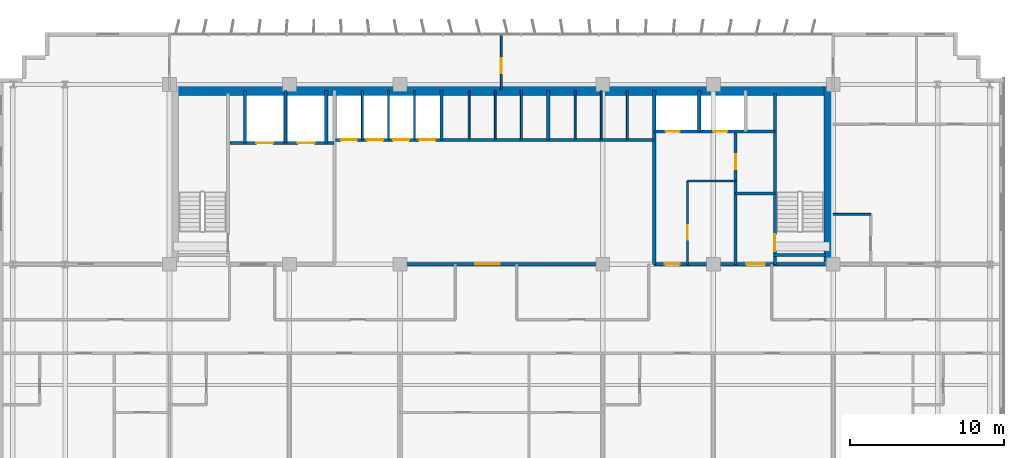
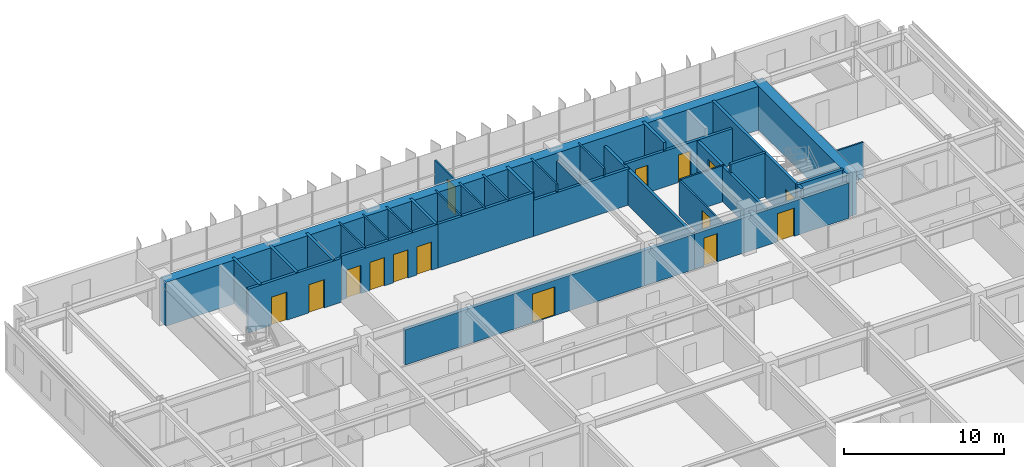
# One storey, part 18 of 22: 33 walls, 15 doors, 15 openings.
"""IFC4 building model written with IfcOpenShell, lengths in metres."""

from ifc_helpers import new_model, si_unit, direction, frame, frame_2d, origin, place, context, subcontext, project, spatial, rectangle, extrude, source, transform, mapped, material, layer, layer_set, type_object, element, fill, save


model = new_model("IFC4")

# Units and contexts
model_context = context("Model", 3, precision=1e-05, world=origin(), true_north=direction((0.0, 1.0)))
body_context = subcontext(model_context, "Body", "Model", "MODEL_VIEW")
ifc_project = project(units=[si_unit("LENGTHUNIT", "METRE"), si_unit("AREAUNIT", "SQUARE_METRE"), si_unit("VOLUMEUNIT", "CUBIC_METRE"), si_unit("PLANEANGLEUNIT", "RADIAN"), si_unit("MASSUNIT", "GRAM", prefix="KILO")], contexts=[model_context])

# Site, building, storey
site_placement = place(None, origin())
site = spatial("IfcSite", under=ifc_project, at=site_placement, CompositionType="ELEMENT")
building_placement = place(site_placement, origin())
building = spatial("IfcBuilding", under=site, at=building_placement, Name="Trelvane Seafront Commons", CompositionType="ELEMENT")
storey_placement = place(building_placement, frame((0.0, 0.0, 52.300048828125)))
storey = spatial("IfcBuildingStorey", under=building, at=storey_placement, Name="L13", CompositionType="ELEMENT", Elevation=52.300048828125)

# Wall, opening, door
ifc_material_1 = material(Name="Concrete C40/50", Category="concrete")
ifc_layer_1 = layer(ifc_material_1, 0.199951171875, Name="ARCH-WALL-FIRE200")
ifc_layer_set_1 = layer_set([ifc_layer_1], Name="Concrete C40/50")
wall_type_1 = type_object("IfcWallType", Name="ARCH-WALL-FIRE200", PredefinedType="PARTITIONING", material=ifc_layer_set_1)
wall_1_placement = place(storey_placement, frame((52.449951171875, 33.39990234375, 0.0), z_axis=(0.0, 0.0, 1.0), x_axis=(0.0, 1.0, 0.0)))
wall_1 = element("IfcWall", 1, at=wall_1_placement, inside=storey, type_object=wall_type_1, Name="W-L13-ST2V-W-033", PredefinedType="PARTITIONING", context=body_context, shape_type="SweptSolid", body=[
    extrude(rectangle(XDim=8.650146484375, YDim=0.199951171875, at=frame_2d((4.3251953125, 0.0))), origin(), (0.0, 0.0, 1.0), 2.68994140625),
])
opening_1_placement = place(wall_1_placement, frame((6.199951171875, 0.0, 0.0)))
opening_1 = element("IfcOpeningElement", 2, at=opening_1_placement, cuts=wall_1, Name="Opening FD-L13-13", PredefinedType="OPENING", context=body_context, shape_type="SweptSolid", body=[
    extrude(rectangle(XDim=0.949951171875, YDim=2.14990234375, at=frame_2d((0.47509765625, 1.074951171875))), frame((0.0, 0.10986328125, 0.0), z_axis=(0.0, -1.0, 0.0), x_axis=(1.0, 0.0, 0.0)), (0.0, 0.0, 1.0), 0.219970703125),
])
ifc_material_2 = material(Name="Powder-coated aluminium frame", Category="aluminium")
door_type_1 = type_object("IfcDoorType", Name="ARCH-DR-FD60-950", OperationType="NOTDEFINED", PredefinedType="DOOR", material=ifc_material_2)
shared_shape_1 = source(origin(), body_context, "Body", "SweptSolid", [
    extrude(rectangle(XDim=0.949951171875, YDim=2.14990234375, at=frame_2d((0.47509765625, 1.074951171875))), frame((0.0, 0.02490234375, 0.0), z_axis=(0.0, -1.0, 0.0), x_axis=(1.0, 0.0, 0.0)), (0.0, 0.0, 1.0), 0.050048828125),
])
door_1_placement = place(opening_1_placement, origin())
door_1 = element("IfcDoor", 3, at=door_1_placement, inside=storey, type_object=door_type_1, Name="L13 Cleaner Store Door", OperationType="SINGLE_SWING_LEFT", OverallHeight=2.14990234375, OverallWidth=0.949951171875, PredefinedType="DOOR", context=body_context, shape_type="MappedRepresentation", body=[
    mapped(shared_shape_1, transform((0.0, 0.0, 0.0), x_axis=(1.0, 0.0, 0.0), y_axis=(0.0, 1.0, 0.0), z_axis=(0.0, 0.0, 1.0), scale=1.0)),
])
fill(opening_1, door_1)

# Wall
wall_2_placement = place(storey_placement, frame((52.449951171875, 38.0, 0.0), z_axis=(0.0, 0.0, 1.0), x_axis=(1.0, 0.0, 0.0)))
element("IfcWall", 4, at=wall_2_placement, inside=storey, type_object=wall_type_1, Name="W-L13-ST2V-N-034", PredefinedType="PARTITIONING", context=body_context, shape_type="SweptSolid", body=[
    extrude(rectangle(XDim=2.550048828125, YDim=0.199951171875, at=frame_2d((1.27490234375, 0.0))), origin(), (0.0, 0.0, 1.0), 3.33984375),
])

# Wall, opening, door
ifc_layer_2 = layer(ifc_material_1, 0.25, Name="ARCH-WALL-FIRE250")
ifc_layer_set_2 = layer_set([ifc_layer_2], Name="Concrete C40/50")
wall_type_2 = type_object("IfcWallType", Name="ARCH-WALL-FIRE250", PredefinedType="PARTITIONING", material=ifc_layer_set_2)
wall_3_placement = place(storey_placement, frame((26.300048828125, 33.39990234375, 0.0), z_axis=(0.0, 0.0, 1.0), x_axis=(1.0, 0.0, 0.0)))
wall_3 = element("IfcWall", 5, at=wall_3_placement, inside=storey, type_object=wall_type_2, Name="W-L13-CS-PAX-029", PredefinedType="PARTITIONING", context=body_context, shape_type="SweptSolid", body=[
    extrude(rectangle(XDim=20.849853515625, YDim=0.25, at=frame_2d((10.4248046875, 0.0))), origin(), (0.0, 0.0, 1.0), 2.68994140625),
])
opening_2_placement = place(wall_3_placement, frame((9.199951171875, 0.0, 0.0)))
opening_2 = element("IfcOpeningElement", 6, at=opening_2_placement, cuts=wall_3, Name="Opening FD-L13-10", PredefinedType="OPENING", context=body_context, shape_type="SweptSolid", body=[
    extrude(rectangle(XDim=1.60009765625, YDim=2.199951171875, at=frame_2d((0.800048828125, 1.10009765625))), frame((0.0, 0.135009765625, 0.0), z_axis=(0.0, -1.0, 0.0), x_axis=(1.0, 0.0, 0.0)), (0.0, 0.0, 1.0), 0.27001953125),
])
door_type_2 = type_object("IfcDoorType", Name="ARCH-DR-FD60-1600", OperationType="DOUBLE_DOOR_SINGLE_SWING", PredefinedType="DOOR", material=ifc_material_2)
shared_shape_2 = source(origin(), body_context, "Body", "SweptSolid", [
    extrude(rectangle(XDim=1.60009765625, YDim=2.199951171875, at=frame_2d((0.800048828125, 1.10009765625))), frame((0.0, 0.02490234375, 0.0), z_axis=(0.0, -1.0, 0.0), x_axis=(1.0, 0.0, 0.0)), (0.0, 0.0, 1.0), 0.050048828125),
])
door_2_placement = place(opening_2_placement, origin())
door_2 = element("IfcDoor", 7, at=door_2_placement, inside=storey, type_object=door_type_2, Name="L13 Passenger Lift Lobby Double Door", OperationType="DOUBLE_DOOR_SINGLE_SWING", OverallHeight=2.199951171875, OverallWidth=1.60009765625, PredefinedType="DOOR", context=body_context, shape_type="MappedRepresentation", body=[
    mapped(shared_shape_2, transform((0.0, 0.0, 0.0), x_axis=(1.0, 0.0, 0.0), y_axis=(0.0, 1.0, 0.0), z_axis=(0.0, 0.0, 1.0), scale=1.0)),
])
fill(opening_2, door_2)

# Wall, openings, doors
wall_4_placement = place(storey_placement, frame((47.14990234375, 33.39990234375, 0.0), z_axis=(0.0, 0.0, 1.0), x_axis=(1.0, 0.0, 0.0)))
wall_4 = element("IfcWall", 8, at=wall_4_placement, inside=storey, type_object=wall_type_2, Name="W-L13-CS-EAST-037", PredefinedType="PARTITIONING", context=body_context, shape_type="SweptSolid", body=[
    extrude(rectangle(XDim=11.150146484375, YDim=0.25, at=frame_2d((5.5751953125, 0.0))), origin(), (0.0, 0.0, 1.0), 2.68994140625),
])
opening_3_placement = place(wall_4_placement, frame((0.699951171875, 0.0, 0.0)))
opening_3 = element("IfcOpeningElement", 9, at=opening_3_placement, cuts=wall_4, Name="Opening FD-L13-15", PredefinedType="OPENING", context=body_context, shape_type="SweptSolid", body=[
    extrude(rectangle(XDim=0.949951171875, YDim=2.14990234375, at=frame_2d((0.47509765625, 1.074951171875))), frame((0.0, 0.135009765625, 0.0), z_axis=(0.0, -1.0, 0.0), x_axis=(1.0, 0.0, 0.0)), (0.0, 0.0, 1.0), 0.27001953125),
])
opening_4_placement = place(wall_4_placement, frame((6.0, 0.0, 0.0)))
opening_4 = element("IfcOpeningElement", 10, at=opening_4_placement, cuts=wall_4, Name="Opening FD-L13-16", PredefinedType="OPENING", context=body_context, shape_type="SweptSolid", body=[
    extrude(rectangle(XDim=1.199951171875, YDim=2.14990234375, at=frame_2d((0.60009765625, 1.074951171875))), frame((0.0, 0.135009765625, 0.0), z_axis=(0.0, -1.0, 0.0), x_axis=(1.0, 0.0, 0.0)), (0.0, 0.0, 1.0), 0.27001953125),
])
door_3_placement = place(opening_3_placement, origin())
door_3 = element("IfcDoor", 11, at=door_3_placement, inside=storey, type_object=door_type_1, Name="L13 Core Service Lobby Door", OperationType="SINGLE_SWING_LEFT", OverallHeight=2.14990234375, OverallWidth=0.949951171875, PredefinedType="DOOR", context=body_context, shape_type="MappedRepresentation", body=[
    mapped(shared_shape_1, transform((0.0, 0.0, 0.0), x_axis=(1.0, 0.0, 0.0), y_axis=(0.0, 1.0, 0.0), z_axis=(0.0, 0.0, 1.0), scale=1.0)),
])
fill(opening_3, door_3)
door_type_3 = type_object("IfcDoorType", Name="ARCH-DR-FD60-1200", OperationType="NOTDEFINED", PredefinedType="DOOR", material=ifc_material_2)
shared_shape_3 = source(origin(), body_context, "Body", "SweptSolid", [
    extrude(rectangle(XDim=1.199951171875, YDim=2.14990234375, at=frame_2d((0.60009765625, 1.074951171875))), frame((0.0, 0.02490234375, 0.0), z_axis=(0.0, -1.0, 0.0), x_axis=(1.0, 0.0, 0.0)), (0.0, 0.0, 1.0), 0.050048828125),
])
door_4_placement = place(opening_4_placement, origin())
door_4 = element("IfcDoor", 12, at=door_4_placement, inside=storey, type_object=door_type_3, Name="L13 East Stair Vestibule Fire Door", OperationType="SINGLE_SWING_RIGHT", OverallHeight=2.14990234375, OverallWidth=1.199951171875, PredefinedType="DOOR", context=body_context, shape_type="MappedRepresentation", body=[
    mapped(shared_shape_3, transform((0.0, 0.0, 0.0), x_axis=(1.0, 0.0, 0.0), y_axis=(0.0, 1.0, 0.0), z_axis=(0.0, 0.0, 1.0), scale=1.0)),
])
fill(opening_4, door_4)

# Walls
ifc_material_3 = material(Name="Gypsum Drywall Acoustic Partition")
ifc_layer_3 = layer(ifc_material_3, 0.1201171875, Name="ARCH-WALL-PART120")
ifc_layer_set_3 = layer_set([ifc_layer_3], Name="Gypsum Drywall Acoustic Partition")
wall_type_3 = type_object("IfcWallType", Name="ARCH-WALL-PART120", PredefinedType="PARTITIONING", material=ifc_layer_set_3)
for number, where, z_axis, x_axis, name in (
    (13, (28.14990234375, 41.5, 0.0), (0.0, 0.0, 1.0), (0.0, 1.0, 0.0), "W-L13-PL-DIV1-016"),
    (14, (29.85009765625, 41.5, 0.0), (0.0, 0.0, 1.0), (0.0, 1.0, 0.0), "W-L13-PL-DIV2-017"),
    (15, (31.550048828125, 41.5, 0.0), (0.0, 0.0, 1.0), (0.0, 1.0, 0.0), "W-L13-PL-DIV3-018"),
    (16, (35.10009765625, 41.5, 0.0), (0.0, 0.0, 1.0), (0.0, 1.0, 0.0), "W-L13-PM-DIV1-020"),
    (17, (36.800048828125, 41.5, 0.0), (0.0, 0.0, 1.0), (0.0, 1.0, 0.0), "W-L13-PM-DIV2-021"),
    (18, (38.5, 41.5, 0.0), (0.0, 0.0, 1.0), (0.0, 1.0, 0.0), "W-L13-PM-DIV3-022"),
    (19, (42.0, 41.5, 0.0), (0.0, 0.0, 1.0), (0.0, 1.0, 0.0), "W-L13-PH-DIV1-025"),
):
    element("IfcWall", number, at=place(storey_placement, frame(where, z_axis=z_axis, x_axis=x_axis)), inside=storey, type_object=wall_type_3, Name=name, PredefinedType="PARTITIONING", context=body_context, shape_type="SweptSolid", body=[
        extrude(rectangle(XDim=3.199951171875, YDim=0.1201171875, at=frame_2d((1.60009765625, 0.0))), origin(), (0.0, 0.0, 1.0), 3.33984375),
    ])
wall_5_placement = place(storey_placement, frame((43.699951171875, 41.5, 0.0), z_axis=(0.0, 0.0, 1.0), x_axis=(0.0, 1.0, 0.0)))
element("IfcWall", 20, at=wall_5_placement, inside=storey, type_object=wall_type_3, Name="W-L13-PH-DIV2-026", PredefinedType="PARTITIONING", context=body_context, shape_type="SweptSolid", body=[
    extrude(rectangle(XDim=3.199951171875, YDim=0.1201171875, at=frame_2d((1.60009765625, 0.0))), origin(), (0.0, 0.0, 1.0), 2.751953125),
])
wall_6_placement = place(storey_placement, frame((45.39990234375, 41.5, 0.0), z_axis=(0.0, 0.0, 1.0), x_axis=(0.0, 1.0, 0.0)))
element("IfcWall", 21, at=wall_6_placement, inside=storey, type_object=wall_type_3, Name="W-L13-PH-DIV3-027", PredefinedType="PARTITIONING", context=body_context, shape_type="SweptSolid", body=[
    extrude(rectangle(XDim=3.199951171875, YDim=0.1201171875, at=frame_2d((1.60009765625, 0.0))), origin(), (0.0, 0.0, 1.0), 3.33984375),
])

# Wall, opening, door
wall_7_placement = place(storey_placement, frame((49.320068359375, 33.39990234375, 0.0), z_axis=(0.0, 0.0, 1.0), x_axis=(0.0, 1.0, 0.0)))
wall_7 = element("IfcWall", 22, at=wall_7_placement, inside=storey, type_object=wall_type_3, Name="W-L13-CYC2-V-035", PredefinedType="PARTITIONING", context=body_context, shape_type="SweptSolid", body=[
    extrude(rectangle(XDim=5.420166015625, YDim=0.1201171875, at=frame_2d((2.7099609375, 0.0))), origin(), (0.0, 0.0, 1.0), 2.68994140625),
])
opening_5_placement = place(wall_7_placement, frame((1.60009765625, 0.0, 0.0)))
opening_5 = element("IfcOpeningElement", 23, at=opening_5_placement, cuts=wall_7, Name="Opening D-L13-14", PredefinedType="OPENING", context=body_context, shape_type="SweptSolid", body=[
    extrude(rectangle(XDim=0.949951171875, YDim=2.14990234375, at=frame_2d((0.47509765625, 1.074951171875))), frame((0.0, 0.070068359375, 0.0), z_axis=(0.0, -1.0, 0.0), x_axis=(1.0, 0.0, 0.0)), (0.0, 0.0, 1.0), 0.14013671875),
])
ifc_material_4 = material(Name="Acoustic timber door leaf", Category="wood")
door_type_4 = type_object("IfcDoorType", Name="ARCH-DR-INT950", OperationType="NOTDEFINED", PredefinedType="DOOR", material=ifc_material_4)
door_5_placement = place(opening_5_placement, origin())
door_5 = element("IfcDoor", 24, at=door_5_placement, inside=storey, type_object=door_type_4, Name="L13 Accessible WC Door", OperationType="SINGLE_SWING_RIGHT", OverallHeight=2.14990234375, OverallWidth=0.949951171875, PredefinedType="DOOR", context=body_context, shape_type="MappedRepresentation", body=[
    mapped(shared_shape_1, transform((0.0, 0.0, 0.0), x_axis=(1.0, 0.0, 0.0), y_axis=(0.0, 1.0, 0.0), z_axis=(0.0, 0.0, 1.0), scale=1.0)),
])
fill(opening_5, door_5)

# Walls
wall_8_placement = place(storey_placement, frame((49.320068359375, 38.820068359375, 0.0), z_axis=(0.0, 0.0, 1.0), x_axis=(1.0, 0.0, 0.0)))
element("IfcWall", 25, at=wall_8_placement, inside=storey, type_object=wall_type_3, Name="W-L13-CYC2-H-036", PredefinedType="PARTITIONING", context=body_context, shape_type="SweptSolid", body=[
    extrude(rectangle(XDim=3.1298828125, YDim=0.1201171875, at=frame_2d((1.56494140625, 0.0))), origin(), (0.0, 0.0, 1.0), 2.751953125),
])
wall_9_placement = place(storey_placement, frame((58.800048828125, 36.64990234375, 0.0), z_axis=(0.0, 0.0, 1.0), x_axis=(1.0, 0.0, 0.0)))
element("IfcWall", 26, at=wall_9_placement, inside=storey, type_object=wall_type_3, Name="W-L13-NE-BN-051", PredefinedType="PARTITIONING", context=body_context, shape_type="SweptSolid", body=[
    extrude(rectangle(XDim=2.449951171875, YDim=0.1201171875, at=frame_2d((1.22509765625, 0.0))), origin(), (0.0, 0.0, 1.0), 2.751953125),
])

# Wall, opening, door
wall_10_placement = place(storey_placement, frame((37.199951171875, 44.75, 0.0), z_axis=(0.0, 0.0, 1.0), x_axis=(0.0, 1.0, 0.0)))
wall_10 = element("IfcWall", 27, at=wall_10_placement, inside=storey, type_object=wall_type_3, Name="W-L13-N-MID-DV-056", PredefinedType="PARTITIONING", context=body_context, shape_type="SweptSolid", body=[
    extrude(rectangle(XDim=3.610107421875, YDim=0.1201171875, at=frame_2d((1.80517578125, 0.0))), origin(), (0.0, 0.0, 1.0), 2.68994140625),
])
opening_6_placement = place(wall_10_placement, frame((1.10009765625, 0.0, 0.0)))
opening_6 = element("IfcOpeningElement", 28, at=opening_6_placement, cuts=wall_10, Name="Opening D-L13-27", PredefinedType="OPENING", context=body_context, shape_type="SweptSolid", body=[
    extrude(rectangle(XDim=0.949951171875, YDim=2.14990234375, at=frame_2d((0.47509765625, 1.074951171875))), frame((0.0, 0.070068359375, 0.0), z_axis=(0.0, -1.0, 0.0), x_axis=(1.0, 0.0, 0.0)), (0.0, 0.0, 1.0), 0.14013671875),
])
door_6_placement = place(opening_6_placement, origin())
door_6 = element("IfcDoor", 29, at=door_6_placement, inside=storey, type_object=door_type_4, Name="L13 Door 27", OperationType="SINGLE_SWING_LEFT", OverallHeight=2.14990234375, OverallWidth=0.949951171875, PredefinedType="DOOR", context=body_context, shape_type="MappedRepresentation", body=[
    mapped(shared_shape_1, transform((0.0, 0.0, 0.0), x_axis=(1.0, 0.0, 0.0), y_axis=(0.0, 1.0, 0.0), z_axis=(0.0, 0.0, 1.0), scale=1.0)),
])
fill(opening_6, door_6)

# Wall, openings, doors
ifc_layer_4 = layer(ifc_material_1, 0.199951171875, Name="ARCH-WALL-SHAFT200")
ifc_layer_set_4 = layer_set([ifc_layer_4], Name="Concrete C40/50")
wall_type_4 = type_object("IfcWallType", Name="ARCH-WALL-SHAFT200", PredefinedType="SOLIDWALL", material=ifc_layer_set_4)
wall_11_placement = place(storey_placement, frame((19.550048828125, 41.300048828125, 0.0), z_axis=(0.0, 0.0, 1.0), x_axis=(1.0, 0.0, 0.0)))
wall_11 = element("IfcWall", 30, at=wall_11_placement, inside=storey, type_object=wall_type_4, Name="W-L13-FFL-FRONT-008", PredefinedType="SOLIDWALL", context=body_context, shape_type="SweptSolid", body=[
    extrude(rectangle(XDim=6.75, YDim=0.199951171875, at=frame_2d((3.375, 0.0))), origin(), (0.0, 0.0, 1.0), 3.33984375),
])
opening_7_placement = place(wall_11_placement, frame((1.699951171875, 0.0, 0.0)))
opening_7 = element("IfcOpeningElement", 31, at=opening_7_placement, cuts=wall_11, Name="Opening LD-FF1-L13", PredefinedType="OPENING", context=body_context, shape_type="SweptSolid", body=[
    extrude(rectangle(XDim=1.10009765625, YDim=2.14990234375, at=frame_2d((0.550048828125, 1.074951171875))), frame((0.0, 0.10986328125, 0.0), z_axis=(0.0, -1.0, 0.0), x_axis=(1.0, 0.0, 0.0)), (0.0, 0.0, 1.0), 0.219970703125),
])
opening_8_placement = place(wall_11_placement, frame((4.39990234375, 0.0, 0.0)))
opening_8 = element("IfcOpeningElement", 32, at=opening_8_placement, cuts=wall_11, Name="Opening LD-FF2-L13", PredefinedType="OPENING", context=body_context, shape_type="SweptSolid", body=[
    extrude(rectangle(XDim=1.10009765625, YDim=2.14990234375, at=frame_2d((0.550048828125, 1.074951171875))), frame((0.0, 0.10986328125, 0.0), z_axis=(0.0, -1.0, 0.0), x_axis=(1.0, 0.0, 0.0)), (0.0, 0.0, 1.0), 0.219970703125),
])
ifc_material_5 = material(Name="Stainless steel balustrade", Category="steel")
door_type_5 = type_object("IfcDoorType", Name="ARCH-DR-LD1100", OperationType="DOUBLE_DOOR_SLIDING", PredefinedType="DOOR", material=ifc_material_5)
shared_shape_4 = source(origin(), body_context, "Body", "SweptSolid", [
    extrude(rectangle(XDim=1.10009765625, YDim=2.14990234375, at=frame_2d((0.550048828125, 1.074951171875))), frame((0.0, 0.02490234375, 0.0), z_axis=(0.0, -1.0, 0.0), x_axis=(1.0, 0.0, 0.0)), (0.0, 0.0, 1.0), 0.050048828125),
])
door_7_placement = place(opening_7_placement, origin())
door_7 = element("IfcDoor", 33, at=door_7_placement, inside=storey, type_object=door_type_5, Name="L13 Firefighting Lift FFL-1 Landing Door", OperationType="DOUBLE_DOOR_SLIDING", OverallHeight=2.14990234375, OverallWidth=1.10009765625, PredefinedType="DOOR", context=body_context, shape_type="MappedRepresentation", body=[
    mapped(shared_shape_4, transform((0.0, 0.0, 0.0), x_axis=(1.0, 0.0, 0.0), y_axis=(0.0, 1.0, 0.0), z_axis=(0.0, 0.0, 1.0), scale=1.0)),
])
fill(opening_7, door_7)
door_8_placement = place(opening_8_placement, origin())
door_8 = element("IfcDoor", 34, at=door_8_placement, inside=storey, type_object=door_type_5, Name="L13 Firefighting Lift FFL-2 Landing Door", OperationType="DOUBLE_DOOR_SLIDING", OverallHeight=2.14990234375, OverallWidth=1.10009765625, PredefinedType="DOOR", context=body_context, shape_type="MappedRepresentation", body=[
    mapped(shared_shape_4, transform((0.0, 0.0, 0.0), x_axis=(1.0, 0.0, 0.0), y_axis=(0.0, 1.0, 0.0), z_axis=(0.0, 0.0, 1.0), scale=1.0)),
])
fill(opening_8, door_8)

# Walls
for number, where, z_axis, x_axis, name in (
    (35, (20.5, 41.300048828125, 0.0), (0.0, 0.0, 1.0), (0.0, 1.0, 0.0), "W-L13-FFL-SH-W-009"),
    (36, (23.14990234375, 41.300048828125, 0.0), (0.0, 0.0, 1.0), (0.0, 1.0, 0.0), "W-L13-FFL-DIV-010"),
    (37, (25.800048828125, 41.300048828125, 0.0), (0.0, 0.0, 1.0), (0.0, 1.0, 0.0), "W-L13-FFL-SH-E-011"),
):
    element("IfcWall", number, at=place(storey_placement, frame(where, z_axis=z_axis, x_axis=x_axis)), inside=storey, type_object=wall_type_4, Name=name, PredefinedType="SOLIDWALL", context=body_context, shape_type="SweptSolid", body=[
        extrude(rectangle(XDim=3.39990234375, YDim=0.199951171875, at=frame_2d((1.699951171875, 0.0))), origin(), (0.0, 0.0, 1.0), 3.33984375),
    ])

# Wall, openings, doors
wall_12_placement = place(storey_placement, frame((26.39990234375, 41.5, 0.0), z_axis=(0.0, 0.0, 1.0), x_axis=(1.0, 0.0, 0.0)))
wall_12 = element("IfcWall", 38, at=wall_12_placement, inside=storey, type_object=wall_type_4, Name="W-L13-PL-FRONT-014", PredefinedType="SOLIDWALL", context=body_context, shape_type="SweptSolid", body=[
    extrude(rectangle(XDim=6.9501953125, YDim=0.199951171875, at=frame_2d((3.47509765625, 0.0))), origin(), (0.0, 0.0, 1.0), 3.33984375),
])
opening_9_placement = place(wall_12_placement, frame((0.35009765625, 0.0, 0.0)))
opening_9 = element("IfcOpeningElement", 39, at=opening_9_placement, cuts=wall_12, Name="Opening LD-PL1-L13", PredefinedType="OPENING", context=body_context, shape_type="SweptSolid", body=[
    extrude(rectangle(XDim=1.050048828125, YDim=2.14990234375, at=frame_2d((0.52490234375, 1.074951171875))), frame((0.0, 0.10986328125, 0.0), z_axis=(0.0, -1.0, 0.0), x_axis=(1.0, 0.0, 0.0)), (0.0, 0.0, 1.0), 0.219970703125),
])
opening_10_placement = place(wall_12_placement, frame((2.050048828125, 0.0, 0.0)))
opening_10 = element("IfcOpeningElement", 40, at=opening_10_placement, cuts=wall_12, Name="Opening LD-PL2-L13", PredefinedType="OPENING", context=body_context, shape_type="SweptSolid", body=[
    extrude(rectangle(XDim=1.050048828125, YDim=2.14990234375, at=frame_2d((0.52490234375, 1.074951171875))), frame((0.0, 0.10986328125, 0.0), z_axis=(0.0, -1.0, 0.0), x_axis=(1.0, 0.0, 0.0)), (0.0, 0.0, 1.0), 0.219970703125),
])
opening_11_placement = place(wall_12_placement, frame((3.75, 0.0, 0.0)))
opening_11 = element("IfcOpeningElement", 41, at=opening_11_placement, cuts=wall_12, Name="Opening LD-PL3-L13", PredefinedType="OPENING", context=body_context, shape_type="SweptSolid", body=[
    extrude(rectangle(XDim=1.050048828125, YDim=2.14990234375, at=frame_2d((0.52490234375, 1.074951171875))), frame((0.0, 0.10986328125, 0.0), z_axis=(0.0, -1.0, 0.0), x_axis=(1.0, 0.0, 0.0)), (0.0, 0.0, 1.0), 0.219970703125),
])
opening_12_placement = place(wall_12_placement, frame((5.449951171875, 0.0, 0.0)))
opening_12 = element("IfcOpeningElement", 42, at=opening_12_placement, cuts=wall_12, Name="Opening LD-PL4-L13", PredefinedType="OPENING", context=body_context, shape_type="SweptSolid", body=[
    extrude(rectangle(XDim=1.050048828125, YDim=2.14990234375, at=frame_2d((0.52490234375, 1.074951171875))), frame((0.0, 0.10986328125, 0.0), z_axis=(0.0, -1.0, 0.0), x_axis=(1.0, 0.0, 0.0)), (0.0, 0.0, 1.0), 0.219970703125),
])
door_type_6 = type_object("IfcDoorType", Name="ARCH-DR-LD1050", OperationType="DOUBLE_DOOR_SLIDING", PredefinedType="DOOR", material=ifc_material_5)
shared_shape_5 = source(origin(), body_context, "Body", "SweptSolid", [
    extrude(rectangle(XDim=1.050048828125, YDim=2.14990234375, at=frame_2d((0.52490234375, 1.074951171875))), frame((0.0, 0.02490234375, 0.0), z_axis=(0.0, -1.0, 0.0), x_axis=(1.0, 0.0, 0.0)), (0.0, 0.0, 1.0), 0.050048828125),
])
door_9_placement = place(opening_9_placement, origin())
door_9 = element("IfcDoor", 43, at=door_9_placement, inside=storey, type_object=door_type_6, Name="L13 Passenger Lift PL-1 Landing Door", OperationType="DOUBLE_DOOR_SLIDING", OverallHeight=2.14990234375, OverallWidth=1.050048828125, PredefinedType="DOOR", context=body_context, shape_type="MappedRepresentation", body=[
    mapped(shared_shape_5, transform((0.0, 0.0, 0.0), x_axis=(1.0, 0.0, 0.0), y_axis=(0.0, 1.0, 0.0), z_axis=(0.0, 0.0, 1.0), scale=1.0)),
])
fill(opening_9, door_9)
door_10_placement = place(opening_10_placement, origin())
door_10 = element("IfcDoor", 44, at=door_10_placement, inside=storey, type_object=door_type_6, Name="L13 Passenger Lift PL-2 Landing Door", OperationType="DOUBLE_DOOR_SLIDING", OverallHeight=2.14990234375, OverallWidth=1.050048828125, PredefinedType="DOOR", context=body_context, shape_type="MappedRepresentation", body=[
    mapped(shared_shape_5, transform((0.0, 0.0, 0.0), x_axis=(1.0, 0.0, 0.0), y_axis=(0.0, 1.0, 0.0), z_axis=(0.0, 0.0, 1.0), scale=1.0)),
])
fill(opening_10, door_10)
door_11_placement = place(opening_11_placement, origin())
door_11 = element("IfcDoor", 45, at=door_11_placement, inside=storey, type_object=door_type_6, Name="L13 Passenger Lift PL-3 Landing Door", OperationType="DOUBLE_DOOR_SLIDING", OverallHeight=2.14990234375, OverallWidth=1.050048828125, PredefinedType="DOOR", context=body_context, shape_type="MappedRepresentation", body=[
    mapped(shared_shape_5, transform((0.0, 0.0, 0.0), x_axis=(1.0, 0.0, 0.0), y_axis=(0.0, 1.0, 0.0), z_axis=(0.0, 0.0, 1.0), scale=1.0)),
])
fill(opening_11, door_11)
door_12_placement = place(opening_12_placement, origin())
door_12 = element("IfcDoor", 46, at=door_12_placement, inside=storey, type_object=door_type_6, Name="L13 Passenger Lift PL-4 Landing Door", OperationType="DOUBLE_DOOR_SLIDING", OverallHeight=2.14990234375, OverallWidth=1.050048828125, PredefinedType="DOOR", context=body_context, shape_type="MappedRepresentation", body=[
    mapped(shared_shape_5, transform((0.0, 0.0, 0.0), x_axis=(1.0, 0.0, 0.0), y_axis=(0.0, 1.0, 0.0), z_axis=(0.0, 0.0, 1.0), scale=1.0)),
])
fill(opening_12, door_12)

# Walls
wall_13_placement = place(storey_placement, frame((33.300048828125, 41.5, 0.0), z_axis=(0.0, 0.0, 1.0), x_axis=(0.0, 1.0, 0.0)))
element("IfcWall", 47, at=wall_13_placement, inside=storey, type_object=wall_type_4, Name="W-L13-PL-EAST-SH-015", PredefinedType="SOLIDWALL", context=body_context, shape_type="SweptSolid", body=[
    extrude(rectangle(XDim=3.199951171875, YDim=0.199951171875, at=frame_2d((1.60009765625, 0.0))), origin(), (0.0, 0.0, 1.0), 3.33984375),
])
wall_14_placement = place(storey_placement, frame((33.35009765625, 41.5, 0.0), z_axis=(0.0, 0.0, 1.0), x_axis=(1.0, 0.0, 0.0)))
element("IfcWall", 48, at=wall_14_placement, inside=storey, type_object=wall_type_4, Name="W-L13-PM-FRONT-019", PredefinedType="SOLIDWALL", context=body_context, shape_type="SweptSolid", body=[
    extrude(rectangle(XDim=6.89990234375, YDim=0.199951171875, at=frame_2d((3.449951171875, 0.0))), origin(), (0.0, 0.0, 1.0), 3.33984375),
])
wall_15_placement = place(storey_placement, frame((40.25, 41.5, 0.0), z_axis=(0.0, 0.0, 1.0), x_axis=(1.0, 0.0, 0.0)))
element("IfcWall", 49, at=wall_15_placement, inside=storey, type_object=wall_type_4, Name="W-L13-PH-FRONT-023", PredefinedType="SOLIDWALL", context=body_context, shape_type="SweptSolid", body=[
    extrude(rectangle(XDim=6.89990234375, YDim=0.199951171875, at=frame_2d((3.449951171875, 0.0))), origin(), (0.0, 0.0, 1.0), 2.751953125),
])
wall_16_placement = place(storey_placement, frame((40.25, 41.5, 0.0), z_axis=(0.0, 0.0, 1.0), x_axis=(0.0, 1.0, 0.0)))
element("IfcWall", 50, at=wall_16_placement, inside=storey, type_object=wall_type_4, Name="W-L13-PH-WEST-SH-024", PredefinedType="SOLIDWALL", context=body_context, shape_type="SweptSolid", body=[
    extrude(rectangle(XDim=3.199951171875, YDim=0.199951171875, at=frame_2d((1.60009765625, 0.0))), origin(), (0.0, 0.0, 1.0), 3.33984375),
])
wall_17_placement = place(storey_placement, frame((47.14990234375, 33.39990234375, 0.0), z_axis=(0.0, 0.0, 1.0), x_axis=(0.0, 1.0, 0.0)))
element("IfcWall", 51, at=wall_17_placement, inside=storey, type_object=wall_type_4, Name="W-L13-PH-EAST-028", PredefinedType="SOLIDWALL", context=body_context, shape_type="SweptSolid", body=[
    extrude(rectangle(XDim=11.300048828125, YDim=0.199951171875, at=frame_2d((5.64990234375, 0.0))), origin(), (0.0, 0.0, 1.0), 2.68994140625),
])

# Wall, openings, doors
wall_18_placement = place(storey_placement, frame((47.14990234375, 42.050048828125, 0.0), z_axis=(0.0, 0.0, 1.0), x_axis=(1.0, 0.0, 0.0)))
wall_18 = element("IfcWall", 52, at=wall_18_placement, inside=storey, type_object=wall_type_4, Name="W-L13-RSR-S-030", PredefinedType="SOLIDWALL", context=body_context, shape_type="SweptSolid", body=[
    extrude(rectangle(XDim=7.85009765625, YDim=0.199951171875, at=frame_2d((3.925048828125, 0.0))), origin(), (0.0, 0.0, 1.0), 2.751953125),
])
opening_13_placement = place(wall_18_placement, frame((0.75, 0.0, 0.0)))
opening_13 = element("IfcOpeningElement", 53, at=opening_13_placement, cuts=wall_18, Name="Opening FD-L13-11", PredefinedType="OPENING", context=body_context, shape_type="SweptSolid", body=[
    extrude(rectangle(XDim=0.89990234375, YDim=2.10009765625, at=frame_2d((0.449951171875, 1.050048828125))), frame((0.0, 0.10986328125, 0.0), z_axis=(0.0, -1.0, 0.0), x_axis=(1.0, 0.0, 0.0)), (0.0, 0.0, 1.0), 0.219970703125),
])
opening_14_placement = place(wall_18_placement, frame((3.85009765625, 0.0, 0.0)))
opening_14 = element("IfcOpeningElement", 54, at=opening_14_placement, cuts=wall_18, Name="Opening FD-L13-12", PredefinedType="OPENING", context=body_context, shape_type="SweptSolid", body=[
    extrude(rectangle(XDim=0.89990234375, YDim=2.10009765625, at=frame_2d((0.449951171875, 1.050048828125))), frame((0.0, 0.10986328125, 0.0), z_axis=(0.0, -1.0, 0.0), x_axis=(1.0, 0.0, 0.0)), (0.0, 0.0, 1.0), 0.219970703125),
])
door_type_7 = type_object("IfcDoorType", Name="ARCH-DR-FD60-900", OperationType="NOTDEFINED", PredefinedType="DOOR", material=ifc_material_2)
shared_shape_6 = source(origin(), body_context, "Body", "SweptSolid", [
    extrude(rectangle(XDim=0.89990234375, YDim=2.10009765625, at=frame_2d((0.449951171875, 1.050048828125))), frame((0.0, 0.02490234375, 0.0), z_axis=(0.0, -1.0, 0.0), x_axis=(1.0, 0.0, 0.0)), (0.0, 0.0, 1.0), 0.050048828125),
])
door_13_placement = place(opening_13_placement, origin())
door_13 = element("IfcDoor", 55, at=door_13_placement, inside=storey, type_object=door_type_7, Name="L13 Electrical Riser Access Door", OperationType="SINGLE_SWING_LEFT", OverallHeight=2.10009765625, OverallWidth=0.89990234375, PredefinedType="DOOR", context=body_context, shape_type="MappedRepresentation", body=[
    mapped(shared_shape_6, transform((0.0, 0.0, 0.0), x_axis=(1.0, 0.0, 0.0), y_axis=(0.0, 1.0, 0.0), z_axis=(0.0, 0.0, 1.0), scale=1.0)),
])
fill(opening_13, door_13)
door_14_placement = place(opening_14_placement, origin())
door_14 = element("IfcDoor", 56, at=door_14_placement, inside=storey, type_object=door_type_7, Name="L13 Mechanical Riser Access Door", OperationType="SINGLE_SWING_RIGHT", OverallHeight=2.10009765625, OverallWidth=0.89990234375, PredefinedType="DOOR", context=body_context, shape_type="MappedRepresentation", body=[
    mapped(shared_shape_6, transform((0.0, 0.0, 0.0), x_axis=(1.0, 0.0, 0.0), y_axis=(0.0, 1.0, 0.0), z_axis=(0.0, 0.0, 1.0), scale=1.0)),
])
fill(opening_14, door_14)

# Walls
wall_19_placement = place(storey_placement, frame((50.080078125, 42.050048828125, 0.0), z_axis=(0.0, 0.0, 1.0), x_axis=(0.0, 1.0, 0.0)))
element("IfcWall", 57, at=wall_19_placement, inside=storey, type_object=wall_type_4, Name="W-L13-RSR-DIV-031", PredefinedType="SOLIDWALL", context=body_context, shape_type="SweptSolid", body=[
    extrude(rectangle(XDim=2.64990234375, YDim=0.199951171875, at=frame_2d((1.324951171875, 0.0))), origin(), (0.0, 0.0, 1.0), 3.33984375),
])
ifc_material_6 = material(Name="Concrete C60/75", Category="concrete")
ifc_layer_5 = layer(ifc_material_6, 0.699951171875, Name="STR-WALL-CORE700")
ifc_layer_set_5 = layer_set([ifc_layer_5], Name="Concrete C60/75")
wall_type_5 = type_object("IfcWallType", Name="STR-WALL-CORE700", PredefinedType="SHEAR", material=ifc_layer_set_5)
wall_20_placement = place(storey_placement, frame((15.5, 44.75, 0.0), z_axis=(0.0, 0.0, 1.0), x_axis=(1.0, 0.0, 0.0)))
element("IfcWall", 58, at=wall_20_placement, inside=storey, type_object=wall_type_5, Name="W-L13-CN-ALL-001", PredefinedType="SHEAR", context=body_context, shape_type="SweptSolid", body=[
    extrude(rectangle(XDim=43.39990234375, YDim=0.699951171875, at=frame_2d((21.699951171875, 0.0))), origin(), (0.0, 0.0, 1.0), 3.33984375),
])
wall_21_placement = place(storey_placement, frame((58.550048828125, 33.39990234375, 0.0), z_axis=(0.0, 0.0, 1.0), x_axis=(0.0, 1.0, 0.0)))
element("IfcWall", 59, at=wall_21_placement, inside=storey, type_object=wall_type_5, Name="W-L13-CE-END-003", PredefinedType="SHEAR", context=body_context, shape_type="SweptSolid", body=[
    extrude(rectangle(XDim=11.7001953125, YDim=0.699951171875, at=frame_2d((5.85009765625, 0.0))), origin(), (0.0, 0.0, 1.0), 3.33984375),
])
ifc_material_7 = material(Name="Concrete C50/60", Category="concrete")
ifc_layer_6 = layer(ifc_material_7, 0.199951171875, Name="STR-WALL-STAIR200")
ifc_layer_set_6 = layer_set([ifc_layer_6], Name="Concrete C50/60")
wall_type_6 = type_object("IfcWallType", Name="STR-WALL-STAIR200", PredefinedType="SHEAR", material=ifc_layer_set_6)
wall_22_placement = place(storey_placement, frame((54.89990234375, 34.0, 0.0), z_axis=(0.0, 0.0, 1.0), x_axis=(1.0, 0.0, 0.0)))
element("IfcWall", 60, at=wall_22_placement, inside=storey, type_object=wall_type_6, Name="W-L13-ST2-S-006", PredefinedType="SHEAR", context=body_context, shape_type="SweptSolid", body=[
    extrude(rectangle(XDim=3.400146484375, YDim=0.199951171875, at=frame_2d((1.7001953125, 0.0))), origin(), (0.0, 0.0, 1.0), 3.33984375),
])

# Wall, opening, door
wall_23_placement = place(storey_placement, frame((55.0, 33.39990234375, 0.0), z_axis=(0.0, 0.0, 1.0), x_axis=(0.0, 1.0, 0.0)))
wall_23 = element("IfcWall", 61, at=wall_23_placement, inside=storey, type_object=wall_type_6, Name="W-L13-ST2-W-007", PredefinedType="SHEAR", context=body_context, shape_type="SweptSolid", body=[
    extrude(rectangle(XDim=11.10009765625, YDim=0.199951171875, at=frame_2d((5.550048828125, 0.0))), origin(), (0.0, 0.0, 1.0), 3.33984375),
])
opening_15_placement = place(wall_23_placement, frame((0.85009765625, 0.0, 0.0)))
opening_15 = element("IfcOpeningElement", 62, at=opening_15_placement, cuts=wall_23, Name="Opening ST-D2-L13", PredefinedType="OPENING", context=body_context, shape_type="SweptSolid", body=[
    extrude(rectangle(XDim=1.10009765625, YDim=2.14990234375, at=frame_2d((0.550048828125, 1.074951171875))), frame((0.0, 0.10986328125, 0.0), z_axis=(0.0, -1.0, 0.0), x_axis=(1.0, 0.0, 0.0)), (0.0, 0.0, 1.0), 0.219970703125),
])
door_type_8 = type_object("IfcDoorType", Name="ARCH-DR-FD90-1100", OperationType="NOTDEFINED", PredefinedType="DOOR", material=ifc_material_2)
door_15_placement = place(opening_15_placement, origin())
door_15 = element("IfcDoor", 63, at=door_15_placement, inside=storey, type_object=door_type_8, Name="L13 Stair ST-2 Vestibule Fire Door", OperationType="SINGLE_SWING_RIGHT", OverallHeight=2.14990234375, OverallWidth=1.10009765625, PredefinedType="DOOR", context=body_context, shape_type="MappedRepresentation", body=[
    mapped(shared_shape_4, transform((0.0, 0.0, 0.0), x_axis=(1.0, 0.0, 0.0), y_axis=(0.0, 1.0, 0.0), z_axis=(0.0, 0.0, 1.0), scale=1.0)),
])
fill(opening_15, door_15)

save(model, "model.ifc")
